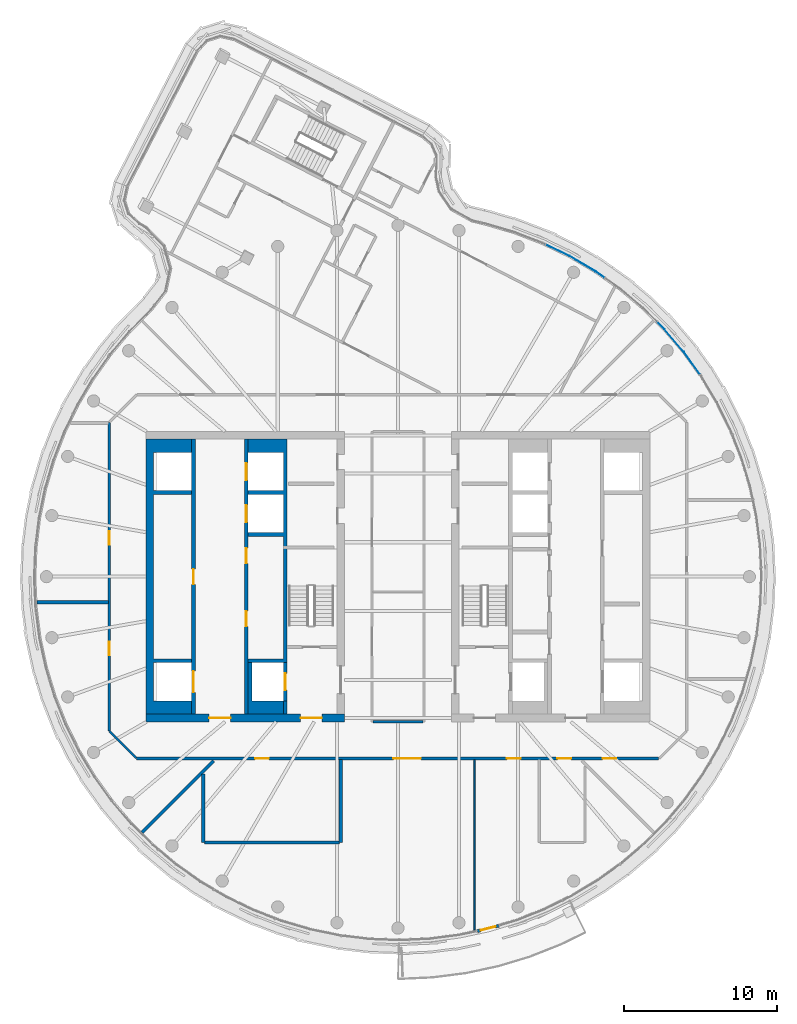
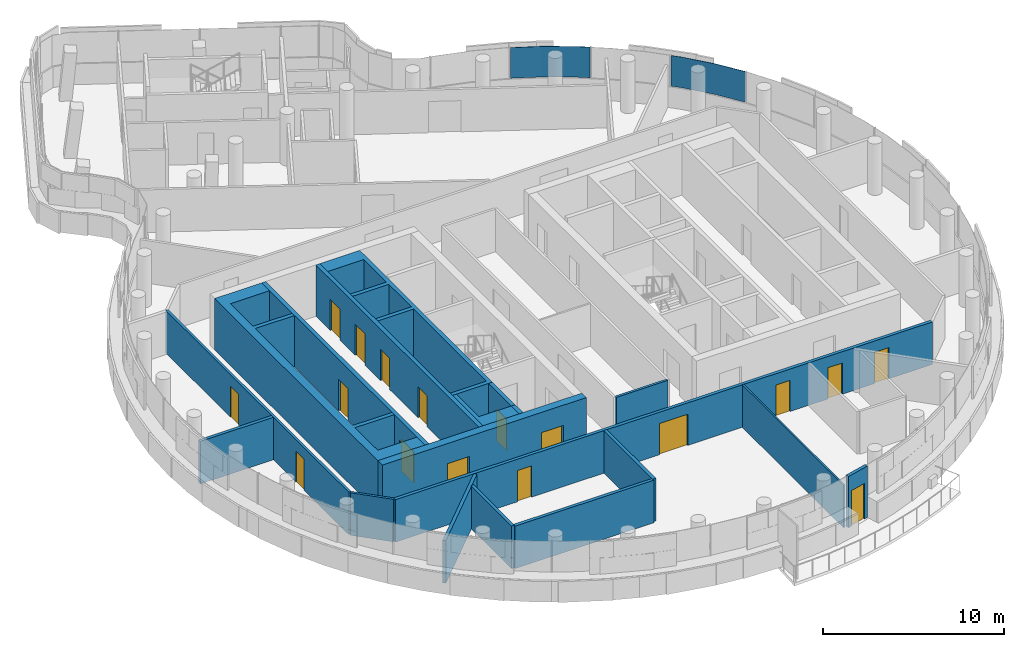
# One storey, part 13 of 21: 19 walls, 17 doors, 2 plates, 17 openings, 1 element without a shape of its own.
"""IFC4 building model written with IfcOpenShell, lengths in metres."""

from ifc_helpers import new_model, si_unit, direction, frame, frame_2d, origin, place, context, subcontext, project, spatial, polyline, rectangle, outline, extrude, material, layer, layer_set, type_object, element, fill, aggregate, save


model = new_model("IFC4")

# Units and contexts
model_context = context("Model", 3, precision=1e-05, world=origin(), true_north=direction((0.0, 1.0)))
body_context = subcontext(model_context, "Body", "Model", "MODEL_VIEW")
ifc_project = project(units=[si_unit("LENGTHUNIT", "METRE"), si_unit("AREAUNIT", "SQUARE_METRE"), si_unit("VOLUMEUNIT", "CUBIC_METRE"), si_unit("PLANEANGLEUNIT", "RADIAN"), si_unit("MASSUNIT", "GRAM", prefix="KILO")], contexts=[model_context])

# Site, building, storey
site_placement = place(None, origin())
site = spatial("IfcSite", under=ifc_project, at=site_placement, CompositionType="ELEMENT")
building_placement = place(site_placement, origin())
building = spatial("IfcBuilding", under=site, at=building_placement, Name="Tamarind Cross Interchange Tower", CompositionType="ELEMENT")
storey_placement = place(building_placement, frame((0.0, 0.0, 260.39990234375)))
storey = spatial("IfcBuildingStorey", under=building, at=storey_placement, Name="L66", CompositionType="ELEMENT", Elevation=260.39990234375)

# Curtain wall, plates
ifc_material_1 = material(Name="Aluminium 6063-T6", Category="aluminium")
ifc_layer_1 = layer(ifc_material_1, 0.139892578125)
ifc_layer_set_1 = layer_set([ifc_layer_1], Name="Aluminium 6063-T6")
curtain_wall_type = type_object("IfcCurtainWallType", Name="Hotel curtain wall, 4.5 m bays", PredefinedType="NOTDEFINED", material=ifc_layer_set_1)
curtain_wall_placement = place(storey_placement, origin())
curtain_wall = element("IfcCurtainWall", 1, at=curtain_wall_placement, inside=storey, type_object=curtain_wall_type, Name="CWS-L66-01", PredefinedType="NOTDEFINED")
ifc_material_2 = material(Name="Laminated low-e glass 6+1.52+6", Category="glass")
ifc_layer_2 = layer(ifc_material_2, 0.02392578125)
ifc_layer_set_2 = layer_set([ifc_layer_2], Name="Laminated low-e glass 6+1.52+6")
plate_type = type_object("IfcPlateType", Name="Vision panel CW2", PredefinedType="CURTAIN_PANEL", material=ifc_layer_set_2)
plate_1_placement = place(storey_placement, frame((0.0, 0.0, 1.400146484375)))
plate_1 = element("IfcPlate", 2, at=plate_1_placement, type_object=plate_type, Name="CWP-L66-01-26", PredefinedType="CURTAIN_PANEL", context=body_context, shape_type="SweptSolid", body=[
    extrude(outline(polyline([(19.749755859375, 13.239990234375), (18.705810546875, 14.68896484375), (17.4287109375, 16.183349609375), (16.96484375, 16.643310546875), (16.981689453125, 16.660400390625), (17.4462890625, 16.19970703125), (18.724609375, 14.703857421875), (19.769287109375, 13.25390625), (19.749755859375, 13.239990234375)])), origin(), (0.0, 0.0, 1.0), 2.06005859375),
])
plate_2_placement = place(storey_placement, frame((0.0, 0.0, 1.400146484375)))
plate_2 = element("IfcPlate", 3, at=plate_2_placement, type_object=plate_type, Name="CWP-L66-01-28", PredefinedType="CURTAIN_PANEL", context=body_context, shape_type="SweptSolid", body=[
    extrude(outline(polyline([(13.50927734375, 19.5517578125), (12.922607421875, 19.966796875), (11.229736328125, 20.9658203125), (9.680419921875, 21.71484375), (9.69091796875, 21.736328125), (11.240966796875, 20.98681640625), (12.935791015625, 19.987060546875), (13.523193359375, 19.5712890625), (13.50927734375, 19.5517578125)])), origin(), (0.0, 0.0, 1.0), 2.06005859375),
])
aggregate(curtain_wall, [plate_1, plate_2])

# Wall, opening, door
ifc_material_3 = material(Name="Concrete C40", Category="concrete")
ifc_layer_3 = layer(ifc_material_3, 0.199951171875)
ifc_layer_set_3 = layer_set([ifc_layer_3], Name="Concrete C40")
wall_type_1 = type_object("IfcWallType", Name="Balcony and garden door wall", PredefinedType="SOLIDWALL", material=ifc_layer_set_3)
wall_1_placement = place(storey_placement, frame((5.195068359375, -23.201904296875, 0.0), z_axis=(0.0, 0.0, 1.0), x_axis=(0.968888430265, 0.247497898374, 0.0)))
wall_1 = element("IfcWall", 4, at=wall_1_placement, inside=storey, type_object=wall_type_1, Name="EXW-L66-01-D15", PredefinedType="SOLIDWALL", context=body_context, shape_type="SweptSolid", body=[
    extrude(rectangle(XDim=1.446044921875, YDim=0.199951171875, at=frame_2d((0.72314453125, 0.0))), origin(), (0.0, 0.0, 1.0), 3.460205078125),
])
opening_1_placement = place(wall_1_placement, frame((0.22314453125, 0.0, 0.0)))
opening_1 = element("IfcOpeningElement", 5, at=opening_1_placement, cuts=wall_1, Name="Opening D2", PredefinedType="OPENING", context=body_context, shape_type="SweptSolid", body=[
    extrude(rectangle(XDim=1.0, YDim=2.39990234375, at=frame_2d((0.5, 1.199951171875))), frame((0.0, 0.10986328125, 0.0), z_axis=(0.0, -1.0, 0.0), x_axis=(1.0, 0.0, 0.0)), (0.0, 0.0, 1.0), 0.219970703125),
])
ifc_material_4 = material(Name="Aluminium and toughened glass", Category="aluminium")
door_type_1 = type_object("IfcDoorType", Name="Balcony and garden door", OperationType="SINGLE_SWING_LEFT", PredefinedType="DOOR", material=ifc_material_4)
door_1_placement = place(opening_1_placement, origin())
door_1 = element("IfcDoor", 6, at=door_1_placement, inside=storey, type_object=door_type_1, Name="DOR-L66-01-15", OperationType="SINGLE_SWING_LEFT", OverallHeight=2.39990234375, OverallWidth=1.0, PredefinedType="DOOR", context=body_context, shape_type="SweptSolid", body=[
    extrude(rectangle(XDim=1.0, YDim=2.39990234375, at=frame_2d((0.5, 1.199951171875))), frame((0.0, 0.02490234375, 0.0), z_axis=(0.0, -1.0, 0.0), x_axis=(1.0, 0.0, 0.0)), (0.0, 0.0, 1.0), 0.050048828125),
])
fill(opening_1, door_1)

# Wall, openings, doors
ifc_material_5 = material(Name="Concrete C50", Category="concrete")
ifc_layer_4 = layer(ifc_material_5, 0.5)
ifc_layer_set_4 = layer_set([ifc_layer_4], Name="Concrete C50")
wall_type_2 = type_object("IfcWallType", Name="Core wall 500 mm Concrete C50", PredefinedType="SHEAR", material=ifc_layer_set_4)
wall_2_placement = place(storey_placement, frame((-16.5, -9.25, 0.0), z_axis=(0.0, 0.0, 1.0), x_axis=(1.0, 0.0, 0.0)))
wall_2 = element("IfcWall", 7, at=wall_2_placement, inside=storey, type_object=wall_type_2, Name="Core wall CWL-L66-W-S", PredefinedType="SHEAR", context=body_context, shape_type="SweptSolid", body=[
    extrude(rectangle(XDim=13.0, YDim=0.5, at=frame_2d((6.5, 0.0))), origin(), (0.0, 0.0, 1.0), 3.460205078125),
])
opening_2_placement = place(wall_2_placement, frame((4.14990234375, 0.0, 0.0)))
opening_2 = element("IfcOpeningElement", 8, at=opening_2_placement, cuts=wall_2, Name="Opening DCW1", PredefinedType="OPENING", context=body_context, shape_type="SweptSolid", body=[
    extrude(rectangle(XDim=1.39990234375, YDim=2.10009765625, at=frame_2d((0.699951171875, 1.050048828125))), frame((0.0, 0.260009765625, 0.0), z_axis=(0.0, -1.0, 0.0), x_axis=(1.0, 0.0, 0.0)), (0.0, 0.0, 1.0), 0.52001953125),
])
opening_3_placement = place(wall_2_placement, frame((10.125, 0.0, 0.0)))
opening_3 = element("IfcOpeningElement", 9, at=opening_3_placement, cuts=wall_2, Name="Opening DCWF", PredefinedType="OPENING", context=body_context, shape_type="SweptSolid", body=[
    extrude(rectangle(XDim=1.39990234375, YDim=2.10009765625, at=frame_2d((0.699951171875, 1.050048828125))), frame((0.0, 0.260009765625, 0.0), z_axis=(0.0, -1.0, 0.0), x_axis=(1.0, 0.0, 0.0)), (0.0, 0.0, 1.0), 0.52001953125),
])
ifc_material_6 = material(Name="Steel, fire-resisting", Category="steel")
door_type_2 = type_object("IfcDoorType", Name="Core fire door 1400 x 2100 FD90", OperationType="SINGLE_SWING_LEFT", PredefinedType="DOOR", material=ifc_material_6)
door_2_placement = place(opening_2_placement, origin())
door_2 = element("IfcDoor", 10, at=door_2_placement, inside=storey, type_object=door_type_2, Name="L66 lift lobby door", OperationType="SINGLE_SWING_LEFT", OverallHeight=2.10009765625, OverallWidth=1.39990234375, PredefinedType="DOOR", context=body_context, shape_type="SweptSolid", body=[
    extrude(rectangle(XDim=1.39990234375, YDim=2.10009765625, at=frame_2d((0.699951171875, 1.050048828125))), frame((0.0, 0.02490234375, 0.0), z_axis=(0.0, -1.0, 0.0), x_axis=(1.0, 0.0, 0.0)), (0.0, 0.0, 1.0), 0.050048828125),
])
fill(opening_2, door_2)
door_3_placement = place(opening_3_placement, origin())
door_3 = element("IfcDoor", 11, at=door_3_placement, inside=storey, type_object=door_type_2, Name="L66 firefighting lobby end door", OperationType="SINGLE_SWING_LEFT", OverallHeight=2.10009765625, OverallWidth=1.39990234375, PredefinedType="DOOR", context=body_context, shape_type="SweptSolid", body=[
    extrude(rectangle(XDim=1.39990234375, YDim=2.10009765625, at=frame_2d((0.699951171875, 1.050048828125))), frame((0.0, 0.02490234375, 0.0), z_axis=(0.0, -1.0, 0.0), x_axis=(1.0, 0.0, 0.0)), (0.0, 0.0, 1.0), 0.050048828125),
])
fill(opening_3, door_3)

# Walls
wall_3_placement = place(storey_placement, origin())
element("IfcWall", 12, at=wall_3_placement, inside=storey, type_object=wall_type_2, Name="Core wall CWL-L66-W-A", PredefinedType="SHEAR", context=body_context, shape_type="SweptSolid", body=[
    extrude(outline(polyline([(-13.5, -8.125), (-16.0, -8.125), (-16.0, -5.625), (-13.5, -5.625), (-13.5, -5.375), (-16.0, -5.375), (-16.0, 5.375), (-13.5, 5.375), (-13.5, 5.625), (-16.0, 5.625), (-16.0, 8.125), (-13.5, 8.125), (-13.5, 9.0), (-16.0, 9.0), (-16.5, 9.0), (-16.5, -9.0), (-16.0, -9.0), (-13.5, -9.0), (-13.5, -8.125)])), origin(), (0.0, 0.0, 1.0), 3.460205078125),
])
ifc_layer_5 = layer(ifc_material_5, 0.25)
ifc_layer_set_5 = layer_set([ifc_layer_5], Name="Concrete C50")
wall_type_3 = type_object("IfcWallType", Name="Core web wall 250 mm Concrete C50", PredefinedType="SHEAR", material=ifc_layer_set_5)
wall_4_placement = place(storey_placement, origin())
element("IfcWall", 13, at=wall_4_placement, inside=storey, type_object=wall_type_3, Name="Core wall CWL-L66-W-BN", PredefinedType="SHEAR", context=body_context, shape_type="SweptSolid", body=[
    extrude(outline(polyline([(-9.800048828125, -5.375), (-9.800048828125, -5.625), (-7.5, -5.625), (-7.25, -5.625), (-7.25, 9.0), (-7.5, 9.0), (-9.800048828125, 9.0), (-9.800048828125, 8.125), (-7.5, 8.125), (-7.5, 5.625), (-9.800048828125, 5.625), (-9.800048828125, 5.375), (-7.5, 5.375), (-7.5, 2.875), (-9.800048828125, 2.875), (-9.800048828125, 2.625), (-7.5, 2.625), (-7.5, -5.375), (-9.800048828125, -5.375)])), origin(), (0.0, 0.0, 1.0), 3.460205078125),
])
wall_5_placement = place(storey_placement, origin())
element("IfcWall", 14, at=wall_5_placement, inside=storey, type_object=wall_type_3, Name="Core wall CWL-L66-W-BS", PredefinedType="SHEAR", context=body_context, shape_type="SweptSolid", body=[
    extrude(outline(polyline([(-7.5, -8.125), (-9.550048828125, -8.125), (-9.550048828125, -5.625), (-9.800048828125, -5.625), (-9.800048828125, -8.125), (-9.800048828125, -9.0), (-7.5, -9.0), (-7.5, -8.125)])), origin(), (0.0, 0.0, 1.0), 3.460205078125),
])
wall_6_placement = place(storey_placement, frame((-7.375, -9.0, 0.0), z_axis=(0.0, 0.0, 1.0), x_axis=(0.0, 1.0, 0.0)))
element("IfcWall", 15, at=wall_6_placement, inside=storey, type_object=wall_type_3, Name="Core wall CWL-L66-W-BW", PredefinedType="SHEAR", context=body_context, shape_type="SweptSolid", body=[
    extrude(rectangle(XDim=0.875, YDim=0.25, at=frame_2d((0.4375, 0.0))), origin(), (0.0, 0.0, 1.0), 3.460205078125),
])

# Wall, openings, doors
wall_7_placement = place(storey_placement, frame((-13.375, -9.0, 0.0), z_axis=(0.0, 0.0, 1.0), x_axis=(0.0, 1.0, 0.0)))
wall_7 = element("IfcWall", 16, at=wall_7_placement, inside=storey, type_object=wall_type_3, Name="Core wall CWL-L66-W-LA", PredefinedType="SHEAR", context=body_context, shape_type="SweptSolid", body=[
    extrude(rectangle(XDim=18.0, YDim=0.25, at=frame_2d((9.0, 0.0))), origin(), (0.0, 0.0, 1.0), 3.460205078125),
])
opening_4_placement = place(wall_7_placement, frame((1.425048828125, 0.0, 0.0)))
opening_4 = element("IfcOpeningElement", 17, at=opening_4_placement, cuts=wall_7, Name="Opening LD1L66", PredefinedType="OPENING", context=body_context, shape_type="SweptSolid", body=[
    extrude(rectangle(XDim=1.39990234375, YDim=2.10009765625, at=frame_2d((0.699951171875, 1.050048828125))), frame((0.0, 0.135009765625, 0.0), z_axis=(0.0, -1.0, 0.0), x_axis=(1.0, 0.0, 0.0)), (0.0, 0.0, 1.0), 0.27001953125),
])
opening_5_placement = place(wall_7_placement, frame((8.5, 0.0, 0.0)))
opening_5 = element("IfcOpeningElement", 18, at=opening_5_placement, cuts=wall_7, Name="Opening DCW9", PredefinedType="OPENING", context=body_context, shape_type="SweptSolid", body=[
    extrude(rectangle(XDim=1.0, YDim=2.10009765625, at=frame_2d((0.5, 1.050048828125))), frame((0.0, 0.135009765625, 0.0), z_axis=(0.0, -1.0, 0.0), x_axis=(1.0, 0.0, 0.0)), (0.0, 0.0, 1.0), 0.27001953125),
])
door_type_3 = type_object("IfcDoorType", Name="Core fire door 1000 x 2100 FD90", OperationType="SINGLE_SWING_LEFT", PredefinedType="DOOR", material=ifc_material_6)
door_4_placement = place(opening_5_placement, origin())
door_4 = element("IfcDoor", 19, at=door_4_placement, inside=storey, type_object=door_type_3, Name="L66 Linen press door", OperationType="SINGLE_SWING_LEFT", OverallHeight=2.10009765625, OverallWidth=1.0, PredefinedType="DOOR", context=body_context, shape_type="SweptSolid", body=[
    extrude(rectangle(XDim=1.0, YDim=2.10009765625, at=frame_2d((0.5, 1.050048828125))), frame((0.0, 0.02490234375, 0.0), z_axis=(0.0, -1.0, 0.0), x_axis=(1.0, 0.0, 0.0)), (0.0, 0.0, 1.0), 0.050048828125),
])
fill(opening_5, door_4)
ifc_material_7 = material(Name="Stainless steel panel", Category="steel")
door_type_4 = type_object("IfcDoorType", Name="Lift landing door 1400 x 2100 E 120", OperationType="SLIDING_TO_LEFT", PredefinedType="DOOR", material=ifc_material_7)
door_5_placement = place(opening_4_placement, origin())
door_5 = element("IfcDoor", 20, at=door_5_placement, inside=storey, type_object=door_type_4, Name="L66 landing door LF1", OperationType="SLIDING_TO_LEFT", OverallHeight=2.10009765625, OverallWidth=1.39990234375, PredefinedType="DOOR", context=body_context, shape_type="SweptSolid", body=[
    extrude(rectangle(XDim=1.39990234375, YDim=2.10009765625, at=frame_2d((0.699951171875, 1.050048828125))), frame((0.0, 0.02490234375, 0.0), z_axis=(0.0, -1.0, 0.0), x_axis=(1.0, 0.0, 0.0)), (0.0, 0.0, 1.0), 0.050048828125),
])
fill(opening_4, door_5)

wall_8_placement = place(storey_placement, frame((-9.925048828125, -9.0, 0.0), z_axis=(0.0, 0.0, 1.0), x_axis=(0.0, 1.0, 0.0)))
wall_8 = element("IfcWall", 21, at=wall_8_placement, inside=storey, type_object=wall_type_3, Name="Core wall CWL-L66-W-LB", PredefinedType="SHEAR", context=body_context, shape_type="SweptSolid", body=[
    extrude(rectangle(XDim=18.0, YDim=0.25, at=frame_2d((9.0, 0.0))), origin(), (0.0, 0.0, 1.0), 3.460205078125),
])
opening_6_placement = place(wall_8_placement, frame((12.574951171875, 0.0, 0.0)))
opening_6 = element("IfcOpeningElement", 22, at=opening_6_placement, cuts=wall_8, Name="Opening LD11L66", PredefinedType="OPENING", context=body_context, shape_type="SweptSolid", body=[
    extrude(rectangle(XDim=1.10009765625, YDim=2.10009765625, at=frame_2d((0.550048828125, 1.050048828125))), frame((0.0, 0.135009765625, 0.0), z_axis=(0.0, -1.0, 0.0), x_axis=(1.0, 0.0, 0.0)), (0.0, 0.0, 1.0), 0.27001953125),
])
opening_7_placement = place(wall_8_placement, frame((15.324951171875, 0.0, 0.0)))
opening_7 = element("IfcOpeningElement", 23, at=opening_7_placement, cuts=wall_8, Name="Opening LD12L66", PredefinedType="OPENING", context=body_context, shape_type="SweptSolid", body=[
    extrude(rectangle(XDim=1.10009765625, YDim=2.10009765625, at=frame_2d((0.550048828125, 1.050048828125))), frame((0.0, 0.135009765625, 0.0), z_axis=(0.0, -1.0, 0.0), x_axis=(1.0, 0.0, 0.0)), (0.0, 0.0, 1.0), 0.27001953125),
])
opening_8_placement = place(wall_8_placement, frame((5.75, 0.0, 0.0)))
opening_8 = element("IfcOpeningElement", 24, at=opening_8_placement, cuts=wall_8, Name="Opening DCW21", PredefinedType="OPENING", context=body_context, shape_type="SweptSolid", body=[
    extrude(rectangle(XDim=1.0, YDim=2.10009765625, at=frame_2d((0.5, 1.050048828125))), frame((0.0, 0.135009765625, 0.0), z_axis=(0.0, -1.0, 0.0), x_axis=(1.0, 0.0, 0.0)), (0.0, 0.0, 1.0), 0.27001953125),
])
opening_9_placement = place(wall_8_placement, frame((9.875, 0.0, 0.0)))
opening_9 = element("IfcOpeningElement", 25, at=opening_9_placement, cuts=wall_8, Name="Opening DCW21", PredefinedType="OPENING", context=body_context, shape_type="SweptSolid", body=[
    extrude(rectangle(XDim=1.0, YDim=2.10009765625, at=frame_2d((0.5, 1.050048828125))), frame((0.0, 0.135009765625, 0.0), z_axis=(0.0, -1.0, 0.0), x_axis=(1.0, 0.0, 0.0)), (0.0, 0.0, 1.0), 0.27001953125),
])
door_6_placement = place(opening_8_placement, origin())
door_6 = element("IfcDoor", 26, at=door_6_placement, inside=storey, type_object=door_type_3, Name="L66 Housekeeping pantry door", OperationType="SINGLE_SWING_LEFT", OverallHeight=2.10009765625, OverallWidth=1.0, PredefinedType="DOOR", context=body_context, shape_type="SweptSolid", body=[
    extrude(rectangle(XDim=1.0, YDim=2.10009765625, at=frame_2d((0.5, 1.050048828125))), frame((0.0, 0.02490234375, 0.0), z_axis=(0.0, -1.0, 0.0), x_axis=(1.0, 0.0, 0.0)), (0.0, 0.0, 1.0), 0.050048828125),
])
fill(opening_8, door_6)
door_7_placement = place(opening_9_placement, origin())
door_7 = element("IfcDoor", 27, at=door_7_placement, inside=storey, type_object=door_type_3, Name="L66 Housekeeping pantry door", OperationType="SINGLE_SWING_LEFT", OverallHeight=2.10009765625, OverallWidth=1.0, PredefinedType="DOOR", context=body_context, shape_type="SweptSolid", body=[
    extrude(rectangle(XDim=1.0, YDim=2.10009765625, at=frame_2d((0.5, 1.050048828125))), frame((0.0, 0.02490234375, 0.0), z_axis=(0.0, -1.0, 0.0), x_axis=(1.0, 0.0, 0.0)), (0.0, 0.0, 1.0), 0.050048828125),
])
fill(opening_9, door_7)
door_type_5 = type_object("IfcDoorType", Name="Lift landing door 1100 x 2100 E 120", OperationType="SLIDING_TO_LEFT", PredefinedType="DOOR", material=ifc_material_7)
door_8_placement = place(opening_6_placement, origin())
door_8 = element("IfcDoor", 28, at=door_8_placement, inside=storey, type_object=door_type_5, Name="L66 landing door LF11", OperationType="SLIDING_TO_LEFT", OverallHeight=2.10009765625, OverallWidth=1.10009765625, PredefinedType="DOOR", context=body_context, shape_type="SweptSolid", body=[
    extrude(rectangle(XDim=1.10009765625, YDim=2.10009765625, at=frame_2d((0.550048828125, 1.050048828125))), frame((0.0, 0.02490234375, 0.0), z_axis=(0.0, -1.0, 0.0), x_axis=(1.0, 0.0, 0.0)), (0.0, 0.0, 1.0), 0.050048828125),
])
fill(opening_6, door_8)
door_9_placement = place(opening_7_placement, origin())
door_9 = element("IfcDoor", 29, at=door_9_placement, inside=storey, type_object=door_type_5, Name="L66 landing door LF12", OperationType="SLIDING_TO_LEFT", OverallHeight=2.10009765625, OverallWidth=1.10009765625, PredefinedType="DOOR", context=body_context, shape_type="SweptSolid", body=[
    extrude(rectangle(XDim=1.10009765625, YDim=2.10009765625, at=frame_2d((0.550048828125, 1.050048828125))), frame((0.0, 0.02490234375, 0.0), z_axis=(0.0, -1.0, 0.0), x_axis=(1.0, 0.0, 0.0)), (0.0, 0.0, 1.0), 0.050048828125),
])
fill(opening_7, door_9)

# Wall, opening, door
wall_9_placement = place(storey_placement, frame((-7.375, -8.125, 0.0), z_axis=(0.0, 0.0, 1.0), x_axis=(0.0, 1.0, 0.0)))
wall_9 = element("IfcWall", 30, at=wall_9_placement, inside=storey, type_object=wall_type_3, Name="Core wall CWL-L66-W-FF", PredefinedType="SHEAR", context=body_context, shape_type="SweptSolid", body=[
    extrude(rectangle(XDim=2.5, YDim=0.25, at=frame_2d((1.25, 0.0))), origin(), (0.0, 0.0, 1.0), 3.460205078125),
])
opening_10_placement = place(wall_9_placement, frame((0.699951171875, 0.0, 0.0)))
opening_10 = element("IfcOpeningElement", 31, at=opening_10_placement, cuts=wall_9, Name="Opening LD7L66", PredefinedType="OPENING", context=body_context, shape_type="SweptSolid", body=[
    extrude(rectangle(XDim=1.10009765625, YDim=2.10009765625, at=frame_2d((0.550048828125, 1.050048828125))), frame((0.0, 0.135009765625, 0.0), z_axis=(0.0, -1.0, 0.0), x_axis=(1.0, 0.0, 0.0)), (0.0, 0.0, 1.0), 0.27001953125),
])
door_10_placement = place(opening_10_placement, origin())
door_10 = element("IfcDoor", 32, at=door_10_placement, inside=storey, type_object=door_type_5, Name="L66 landing door LF7", OperationType="SLIDING_TO_LEFT", OverallHeight=2.10009765625, OverallWidth=1.10009765625, PredefinedType="DOOR", context=body_context, shape_type="SweptSolid", body=[
    extrude(rectangle(XDim=1.10009765625, YDim=2.10009765625, at=frame_2d((0.550048828125, 1.050048828125))), frame((0.0, 0.02490234375, 0.0), z_axis=(0.0, -1.0, 0.0), x_axis=(1.0, 0.0, 0.0)), (0.0, 0.0, 1.0), 0.050048828125),
])
fill(opening_10, door_10)

# Walls
ifc_material_8 = material(Name="Gypsum board partition on steel studs", Category="steel")
ifc_layer_6 = layer(ifc_material_8, 0.10009765625)
ifc_layer_set_6 = layer_set([ifc_layer_6], Name="Gypsum board partition on steel studs")
wall_type_4 = type_object("IfcWallType", Name="Partition 100 mm EI 90", PredefinedType="PARTITIONING", material=ifc_layer_set_6)
wall_10_placement = place(storey_placement, frame((5.02197265625, -23.1357421875, 0.0), z_axis=(0.0, 0.0, 1.0), x_axis=(0.0, 1.0, 0.0)))
element("IfcWall", 33, at=wall_10_placement, inside=storey, type_object=wall_type_4, Name="Partition L66-046", PredefinedType="PARTITIONING", context=body_context, shape_type="SweptSolid", body=[
    extrude(rectangle(XDim=11.15576171875, YDim=0.10009765625, at=frame_2d((5.577880859375, 0.0))), origin(), (0.0, 0.0, 1.0), 2.864013671875),
])
ifc_layer_7 = layer(ifc_material_8, 0.14990234375)
ifc_layer_set_7 = layer_set([ifc_layer_7], Name="Gypsum board partition on steel studs")
wall_type_5 = type_object("IfcWallType", Name="Partition 150 mm EI 120", PredefinedType="PARTITIONING", material=ifc_layer_set_7)
wall_11_placement = place(storey_placement, frame((-18.87158203125, -10.12841796875, 0.0), z_axis=(0.0, 0.0, 1.0), x_axis=(0.707106781187, -0.707106781187, 0.0)))
element("IfcWall", 34, at=wall_11_placement, inside=storey, type_object=wall_type_5, Name="Partition L66-001", PredefinedType="PARTITIONING", context=body_context, shape_type="SweptSolid", body=[
    extrude(rectangle(XDim=2.455078125, YDim=0.14990234375, at=frame_2d((1.2275390625, 0.0))), origin(), (0.0, 0.0, 1.0), 2.864013671875),
])
wall_12_placement = place(storey_placement, frame((-1.639892578125, -9.5, 0.0), z_axis=(0.0, 0.0, 1.0), x_axis=(1.0, 0.0, 0.0)))
element("IfcWall", 35, at=wall_12_placement, inside=storey, type_object=wall_type_5, Name="Partition L66-022", PredefinedType="PARTITIONING", context=body_context, shape_type="SweptSolid", body=[
    extrude(rectangle(XDim=3.27978515625, YDim=0.14990234375, at=frame_2d((1.639892578125, 0.0))), origin(), (0.0, 0.0, 1.0), 2.864013671875),
])

# Wall, openings, doors
wall_13_placement = place(storey_placement, frame((-18.89990234375, -10.10009765625, 0.0), z_axis=(0.0, 0.0, 1.0), x_axis=(0.0, 1.0, 0.0)))
wall_13 = element("IfcWall", 36, at=wall_13_placement, inside=storey, type_object=wall_type_5, Name="Partition L66-041", PredefinedType="PARTITIONING", context=body_context, shape_type="SweptSolid", body=[
    extrude(rectangle(XDim=20.2001953125, YDim=0.14990234375, at=frame_2d((10.10009765625, 0.0))), origin(), (0.0, 0.0, 1.0), 2.864013671875),
])
opening_11_placement = place(wall_13_placement, frame((4.949951171875, 0.0, 0.0)))
opening_11 = element("IfcOpeningElement", 37, at=opening_11_placement, cuts=wall_13, Name="Opening D21", PredefinedType="OPENING", context=body_context, shape_type="SweptSolid", body=[
    extrude(rectangle(XDim=0.89990234375, YDim=2.10009765625, at=frame_2d((0.449951171875, 1.050048828125))), frame((0.0, 0.0849609375, 0.0), z_axis=(0.0, -1.0, 0.0), x_axis=(1.0, 0.0, 0.0)), (0.0, 0.0, 1.0), 0.169921875),
])
opening_12_placement = place(wall_13_placement, frame((12.176025390625, 0.0, 0.0)))
opening_12 = element("IfcOpeningElement", 38, at=opening_12_placement, cuts=wall_13, Name="Opening D22", PredefinedType="OPENING", context=body_context, shape_type="SweptSolid", body=[
    extrude(rectangle(XDim=0.89990234375, YDim=2.10009765625, at=frame_2d((0.449951171875, 1.050048828125))), frame((0.0, 0.0849609375, 0.0), z_axis=(0.0, -1.0, 0.0), x_axis=(1.0, 0.0, 0.0)), (0.0, 0.0, 1.0), 0.169921875),
])
ifc_material_9 = material(Name="Fire-resisting door set")
door_type_6 = type_object("IfcDoorType", Name="Interior door 900 x 2100 FD60S", OperationType="SINGLE_SWING_LEFT", PredefinedType="DOOR", material=ifc_material_9)
door_11_placement = place(opening_11_placement, origin())
door_11 = element("IfcDoor", 39, at=door_11_placement, inside=storey, type_object=door_type_6, Name="Door D21", OperationType="SINGLE_SWING_RIGHT", OverallHeight=2.10009765625, OverallWidth=0.89990234375, PredefinedType="DOOR", context=body_context, shape_type="SweptSolid", body=[
    extrude(rectangle(XDim=0.89990234375, YDim=2.10009765625, at=frame_2d((0.449951171875, 1.050048828125))), frame((0.0, 0.02490234375, 0.0), z_axis=(0.0, -1.0, 0.0), x_axis=(1.0, 0.0, 0.0)), (0.0, 0.0, 1.0), 0.050048828125),
])
fill(opening_11, door_11)
door_12_placement = place(opening_12_placement, origin())
door_12 = element("IfcDoor", 40, at=door_12_placement, inside=storey, type_object=door_type_6, Name="Door D22", OperationType="SINGLE_SWING_LEFT", OverallHeight=2.10009765625, OverallWidth=0.89990234375, PredefinedType="DOOR", context=body_context, shape_type="SweptSolid", body=[
    extrude(rectangle(XDim=0.89990234375, YDim=2.10009765625, at=frame_2d((0.449951171875, 1.050048828125))), frame((0.0, 0.02490234375, 0.0), z_axis=(0.0, -1.0, 0.0), x_axis=(1.0, 0.0, 0.0)), (0.0, 0.0, 1.0), 0.050048828125),
])
fill(opening_12, door_12)

# Wall
ifc_layer_8 = layer(ifc_material_8, 0.199951171875)
ifc_layer_set_8 = layer_set([ifc_layer_8], Name="Gypsum board partition on steel studs")
wall_type_6 = type_object("IfcWallType", Name="Partition 200 mm EI 180", PredefinedType="PARTITIONING", material=ifc_layer_set_8)
wall_14_placement = place(storey_placement, frame((-23.622802734375, -1.674072265625, 0.0), z_axis=(0.0, 0.0, 1.0), x_axis=(1.0, 0.0, 0.0)))
element("IfcWall", 41, at=wall_14_placement, inside=storey, type_object=wall_type_6, Name="Partition L66-016", PredefinedType="PARTITIONING", context=body_context, shape_type="SweptSolid", body=[
    extrude(rectangle(XDim=4.667724609375, YDim=0.199951171875, at=frame_2d((2.333984375, 0.0))), origin(), (0.0, 0.0, 1.0), 2.864013671875),
])

# Wall, openings, doors
wall_15_placement = place(storey_placement, frame((-17.10009765625, -11.89990234375, 0.0), z_axis=(0.0, 0.0, 1.0), x_axis=(1.0, 0.0, 0.0)))
wall_15 = element("IfcWall", 42, at=wall_15_placement, inside=storey, type_object=wall_type_6, Name="Partition L66-018", PredefinedType="PARTITIONING", context=body_context, shape_type="SweptSolid", body=[
    extrude(rectangle(XDim=34.1650390625, YDim=0.199951171875, at=frame_2d((17.08251953125, 0.0))), origin(), (0.0, 0.0, 1.0), 2.864013671875),
])
opening_13_placement = place(wall_15_placement, frame((7.75, 0.0, 0.0)))
opening_13 = element("IfcOpeningElement", 43, at=opening_13_placement, cuts=wall_15, Name="Opening D06", PredefinedType="OPENING", context=body_context, shape_type="SweptSolid", body=[
    extrude(rectangle(XDim=0.89990234375, YDim=2.10009765625, at=frame_2d((0.449951171875, 1.050048828125))), frame((0.0, 0.10986328125, 0.0), z_axis=(0.0, -1.0, 0.0), x_axis=(1.0, 0.0, 0.0)), (0.0, 0.0, 1.0), 0.219970703125),
])
opening_14_placement = place(wall_15_placement, frame((27.541015625, 0.0, 0.0)))
opening_14 = element("IfcOpeningElement", 44, at=opening_14_placement, cuts=wall_15, Name="Opening D07", PredefinedType="OPENING", context=body_context, shape_type="SweptSolid", body=[
    extrude(rectangle(XDim=0.89990234375, YDim=2.10009765625, at=frame_2d((0.449951171875, 1.050048828125))), frame((0.0, 0.10986328125, 0.0), z_axis=(0.0, -1.0, 0.0), x_axis=(1.0, 0.0, 0.0)), (0.0, 0.0, 1.0), 0.219970703125),
])
opening_15_placement = place(wall_15_placement, frame((16.80908203125, 0.0, 0.0)))
opening_15 = element("IfcOpeningElement", 45, at=opening_15_placement, cuts=wall_15, Name="Opening D08", PredefinedType="OPENING", context=body_context, shape_type="SweptSolid", body=[
    extrude(rectangle(XDim=1.800048828125, YDim=2.10009765625, at=frame_2d((0.89990234375, 1.050048828125))), frame((0.0, 0.10986328125, 0.0), z_axis=(0.0, -1.0, 0.0), x_axis=(1.0, 0.0, 0.0)), (0.0, 0.0, 1.0), 0.219970703125),
])
opening_16_placement = place(wall_15_placement, frame((24.221923828125, 0.0, 0.0)))
opening_16 = element("IfcOpeningElement", 46, at=opening_16_placement, cuts=wall_15, Name="Opening D09", PredefinedType="OPENING", context=body_context, shape_type="SweptSolid", body=[
    extrude(rectangle(XDim=0.89990234375, YDim=2.10009765625, at=frame_2d((0.449951171875, 1.050048828125))), frame((0.0, 0.10986328125, 0.0), z_axis=(0.0, -1.0, 0.0), x_axis=(1.0, 0.0, 0.0)), (0.0, 0.0, 1.0), 0.219970703125),
])
opening_17_placement = place(wall_15_placement, frame((30.5, 0.0, 0.0)))
opening_17 = element("IfcOpeningElement", 47, at=opening_17_placement, cuts=wall_15, Name="Opening D10", PredefinedType="OPENING", context=body_context, shape_type="SweptSolid", body=[
    extrude(rectangle(XDim=0.89990234375, YDim=2.10009765625, at=frame_2d((0.449951171875, 1.050048828125))), frame((0.0, 0.10986328125, 0.0), z_axis=(0.0, -1.0, 0.0), x_axis=(1.0, 0.0, 0.0)), (0.0, 0.0, 1.0), 0.219970703125),
])
door_type_7 = type_object("IfcDoorType", Name="Interior door 1800 x 2100 FD120S", OperationType="DOUBLE_DOOR_SINGLE_SWING", PredefinedType="DOOR", material=ifc_material_9)
door_13_placement = place(opening_15_placement, origin())
door_13 = element("IfcDoor", 48, at=door_13_placement, inside=storey, type_object=door_type_7, Name="Door D08", OperationType="DOUBLE_DOOR_SINGLE_SWING", OverallHeight=2.10009765625, OverallWidth=1.800048828125, PredefinedType="DOOR", context=body_context, shape_type="SweptSolid", body=[
    extrude(rectangle(XDim=1.800048828125, YDim=2.10009765625, at=frame_2d((0.89990234375, 1.050048828125))), frame((0.0, 0.02490234375, 0.0), z_axis=(0.0, -1.0, 0.0), x_axis=(1.0, 0.0, 0.0)), (0.0, 0.0, 1.0), 0.050048828125),
])
fill(opening_15, door_13)
door_type_8 = type_object("IfcDoorType", Name="Interior door 900 x 2100 FD120S", OperationType="SINGLE_SWING_LEFT", PredefinedType="DOOR", material=ifc_material_9)
door_14_placement = place(opening_13_placement, frame((0.89990234375, 0.0, 0.0), z_axis=(0.0, 0.0, 1.0), x_axis=(-1.0, 0.0, 0.0)))
door_14 = element("IfcDoor", 49, at=door_14_placement, inside=storey, type_object=door_type_8, Name="Door D06", OperationType="SINGLE_SWING_LEFT", OverallHeight=2.10009765625, OverallWidth=0.89990234375, PredefinedType="DOOR", context=body_context, shape_type="SweptSolid", body=[
    extrude(rectangle(XDim=0.89990234375, YDim=2.10009765625, at=frame_2d((0.449951171875, 1.050048828125))), frame((0.0, 0.02490234375, 0.0), z_axis=(0.0, -1.0, 0.0), x_axis=(1.0, 0.0, 0.0)), (0.0, 0.0, 1.0), 0.050048828125),
])
fill(opening_13, door_14)
door_15_placement = place(opening_14_placement, frame((0.89990234375, 0.0, 0.0), z_axis=(0.0, 0.0, 1.0), x_axis=(-1.0, 0.0, 0.0)))
door_15 = element("IfcDoor", 50, at=door_15_placement, inside=storey, type_object=door_type_8, Name="Door D07", OperationType="SINGLE_SWING_RIGHT", OverallHeight=2.10009765625, OverallWidth=0.89990234375, PredefinedType="DOOR", context=body_context, shape_type="SweptSolid", body=[
    extrude(rectangle(XDim=0.89990234375, YDim=2.10009765625, at=frame_2d((0.449951171875, 1.050048828125))), frame((0.0, 0.02490234375, 0.0), z_axis=(0.0, -1.0, 0.0), x_axis=(1.0, 0.0, 0.0)), (0.0, 0.0, 1.0), 0.050048828125),
])
fill(opening_14, door_15)
door_16_placement = place(opening_16_placement, frame((0.89990234375, 0.0, 0.0), z_axis=(0.0, 0.0, 1.0), x_axis=(-1.0, 0.0, 0.0)))
door_16 = element("IfcDoor", 51, at=door_16_placement, inside=storey, type_object=door_type_8, Name="Door D09", OperationType="SINGLE_SWING_RIGHT", OverallHeight=2.10009765625, OverallWidth=0.89990234375, PredefinedType="DOOR", context=body_context, shape_type="SweptSolid", body=[
    extrude(rectangle(XDim=0.89990234375, YDim=2.10009765625, at=frame_2d((0.449951171875, 1.050048828125))), frame((0.0, 0.02490234375, 0.0), z_axis=(0.0, -1.0, 0.0), x_axis=(1.0, 0.0, 0.0)), (0.0, 0.0, 1.0), 0.050048828125),
])
fill(opening_16, door_16)
door_17_placement = place(opening_17_placement, frame((0.89990234375, 0.0, 0.0), z_axis=(0.0, 0.0, 1.0), x_axis=(-1.0, 0.0, 0.0)))
door_17 = element("IfcDoor", 52, at=door_17_placement, inside=storey, type_object=door_type_8, Name="Door D10", OperationType="SINGLE_SWING_RIGHT", OverallHeight=2.10009765625, OverallWidth=0.89990234375, PredefinedType="DOOR", context=body_context, shape_type="SweptSolid", body=[
    extrude(rectangle(XDim=0.89990234375, YDim=2.10009765625, at=frame_2d((0.449951171875, 1.050048828125))), frame((0.0, 0.02490234375, 0.0), z_axis=(0.0, -1.0, 0.0), x_axis=(1.0, 0.0, 0.0)), (0.0, 0.0, 1.0), 0.050048828125),
])
fill(opening_17, door_17)

# Walls
wall_16_placement = place(storey_placement, frame((-12.660888671875, -17.39990234375, 0.0), z_axis=(0.0, 0.0, 1.0), x_axis=(1.0, 0.0, 0.0)))
element("IfcWall", 53, at=wall_16_placement, inside=storey, type_object=wall_type_6, Name="Partition L66-020", PredefinedType="PARTITIONING", context=body_context, shape_type="SweptSolid", body=[
    extrude(rectangle(XDim=8.8349609375, YDim=0.199951171875, at=frame_2d((4.41748046875, 0.0))), origin(), (0.0, 0.0, 1.0), 2.864013671875),
])
wall_17_placement = place(storey_placement, frame((-16.740478515625, -16.740478515625, 0.0), z_axis=(0.0, 0.0, 1.0), x_axis=(0.707106781187, 0.707106781187, 0.0)))
element("IfcWall", 54, at=wall_17_placement, inside=storey, type_object=wall_type_6, Name="Partition L66-028", PredefinedType="PARTITIONING", context=body_context, shape_type="SweptSolid", body=[
    extrude(rectangle(XDim=6.630615234375, YDim=0.199951171875, at=frame_2d((3.3154296875, 0.0))), origin(), (0.0, 0.0, 1.0), 2.864013671875),
])
wall_18_placement = place(storey_placement, frame((-12.740966796875, -17.39990234375, 0.0), z_axis=(0.0, 0.0, 1.0), x_axis=(0.0, 1.0, 0.0)))
element("IfcWall", 55, at=wall_18_placement, inside=storey, type_object=wall_type_6, Name="Partition L66-042", PredefinedType="PARTITIONING", context=body_context, shape_type="SweptSolid", body=[
    extrude(rectangle(XDim=4.4990234375, YDim=0.199951171875, at=frame_2d((2.24951171875, 0.0))), origin(), (0.0, 0.0, 1.0), 2.864013671875),
])
wall_19_placement = place(storey_placement, frame((-3.740966796875, -17.39990234375, 0.0), z_axis=(0.0, 0.0, 1.0), x_axis=(0.0, 1.0, 0.0)))
element("IfcWall", 56, at=wall_19_placement, inside=storey, type_object=wall_type_6, Name="Partition L66-043", PredefinedType="PARTITIONING", context=body_context, shape_type="SweptSolid", body=[
    extrude(rectangle(XDim=5.419921875, YDim=0.199951171875, at=frame_2d((2.7099609375, 0.0))), origin(), (0.0, 0.0, 1.0), 2.864013671875),
])

save(model, "model.ifc")
